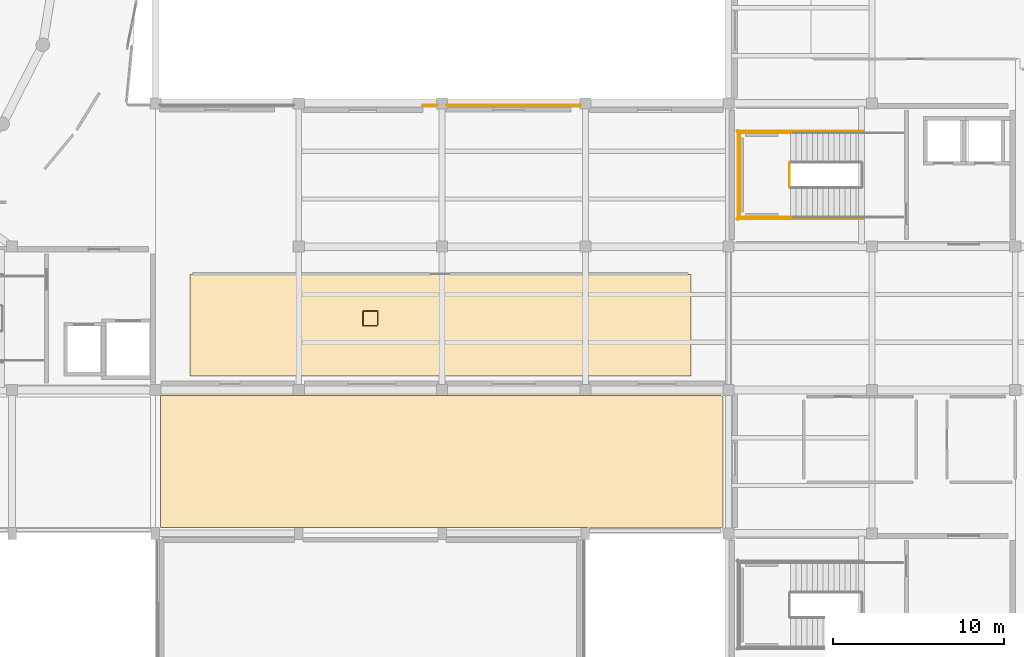
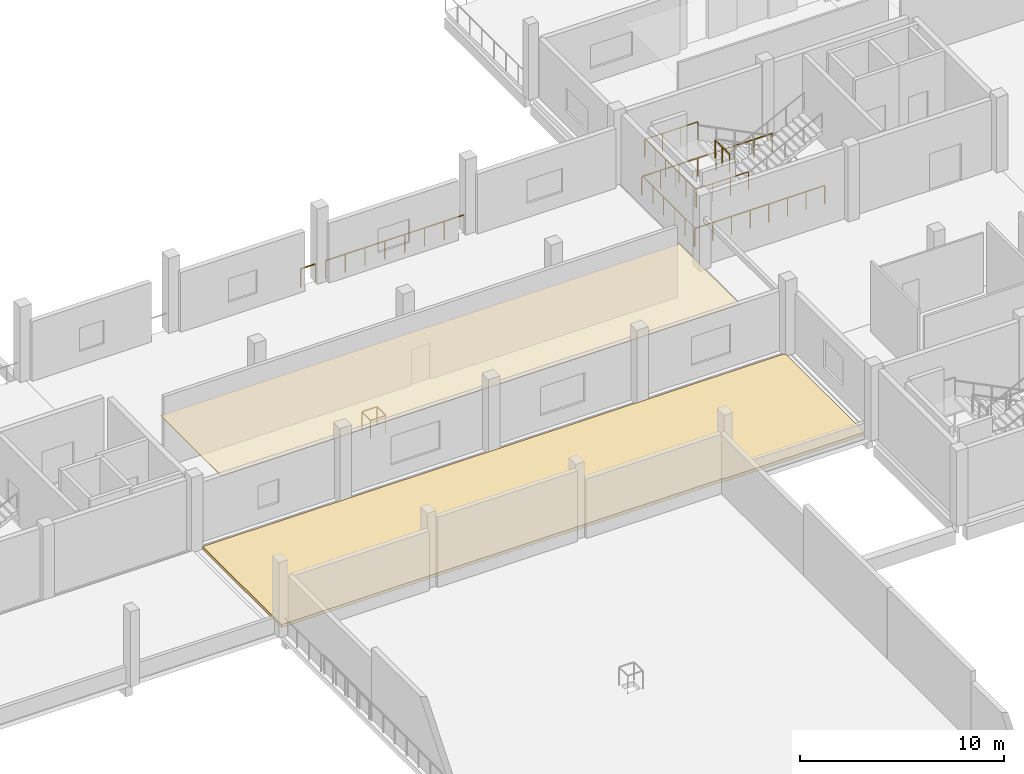
# One storey, part 40 of 46: 10 railings, 2 coverings.
"""IFC4 building model written with IfcOpenShell, lengths in metres."""

from ifc_helpers import new_model, si_unit, derived_unit, direction, frame, origin, origin_2d, place, context, subcontext, project, spatial, polyline, circle, outline, extrude, material, layer, layer_set, type_object, element, save


model = new_model("IFC4")

# Units and contexts
model_context = context("Model", 3, precision=1e-05, world=origin(), true_north=direction((0.0, 1.0)))
body_context = subcontext(model_context, "Body", "Model", "MODEL_VIEW")
ifc_project = project(units=[si_unit("LENGTHUNIT", "METRE"), si_unit("AREAUNIT", "SQUARE_METRE"), si_unit("VOLUMEUNIT", "CUBIC_METRE"), si_unit("PLANEANGLEUNIT", "RADIAN"), si_unit("MASSUNIT", "GRAM", prefix="KILO"), derived_unit("THERMALTRANSMITTANCEUNIT", [(si_unit("POWERUNIT", "WATT"), 1), (si_unit("LENGTHUNIT", "METRE"), -2), (si_unit("THERMODYNAMICTEMPERATUREUNIT", "KELVIN"), -1)])], contexts=[model_context])

# Site, building, storey
site_placement = place(None, origin())
site = spatial("IfcSite", under=ifc_project, at=site_placement, CompositionType="ELEMENT")
building_placement = place(site_placement, origin())
building = spatial("IfcBuilding", under=site, at=building_placement, Name="Elbkamm Science Centre", CompositionType="ELEMENT")
storey_placement = place(building_placement, frame((0.0, 0.0, 9.89990234375)))
storey = spatial("IfcBuildingStorey", under=building, at=storey_placement, Name="L02", CompositionType="ELEMENT", Elevation=9.89990234375)

# Coverings
ifc_material_1 = material(Name="Perforated acoustic mineral fibre ceiling tile")
ifc_layer_1 = layer(ifc_material_1, 0.0400390625)
ifc_layer_set_1 = layer_set([ifc_layer_1], Name="Perforated acoustic mineral fibre ceiling tile")
covering_type_1 = type_object("IfcCoveringType", Name="COV-CEIL-ACOUSTIC-40", PredefinedType="CEILING", material=ifc_layer_set_1)
covering_1_placement = place(storey_placement, frame((0.0, 0.0, 3.070068359375)))
element("IfcCovering", 1, at=covering_1_placement, inside=storey, type_object=covering_type_1, Name="L02 Optics and Photonics Laboratory Acoustic Ceiling", PredefinedType="CEILING", context=body_context, shape_type="SweptSolid", body=[
    extrude(outline(polyline([(94.419921875, 42.820068359375), (94.419921875, 48.780029296875), (123.780029296875, 48.780029296875), (123.780029296875, 42.820068359375), (94.419921875, 42.820068359375)])), origin(), (0.0, 0.0, 1.0), 0.0400390625),
])
ifc_material_2 = material(Name="EPDM waterproof roofing membrane and mineral wool insulation")
ifc_layer_2 = layer(ifc_material_2, 0.179931640625)
ifc_layer_set_2 = layer_set([ifc_layer_2], Name="EPDM waterproof roofing membrane and mineral wool insulation")
covering_type_2 = type_object("IfcCoveringType", Name="COV-ROOFING-180", PredefinedType="ROOFING", material=ifc_layer_set_2)
covering_2_placement = place(storey_placement, origin())
element("IfcCovering", 2, at=covering_2_placement, inside=storey, type_object=covering_type_2, Name="L02 Insulated Roof Membrane Covering 09", PredefinedType="ROOFING", context=body_context, shape_type="SweptSolid", body=[
    extrude(outline(polyline([(92.699951171875, 41.669921875), (125.512451171875, 41.669921875), (125.534912109375, 41.6689453125), (125.54931640625, 41.666748046875), (125.56298828125, 41.663330078125), (125.577392578125, 41.658203125), (125.5908203125, 41.65185546875), (125.603271484375, 41.644287109375), (125.614990234375, 41.6357421875), (125.625732421875, 41.625732421875), (125.6357421875, 41.614990234375), (125.644287109375, 41.603271484375), (125.65185546875, 41.5908203125), (125.658203125, 41.577392578125), (125.663330078125, 41.56298828125), (125.666748046875, 41.54931640625), (125.6689453125, 41.534912109375), (125.669921875, 41.512451171875), (125.669921875, 34.0576171875), (125.6689453125, 34.03515625), (125.666748046875, 34.020751953125), (125.663330078125, 34.0068359375), (125.658203125, 33.99267578125), (125.65185546875, 33.979248046875), (125.644287109375, 33.966796875), (125.6357421875, 33.955078125), (125.625732421875, 33.944091796875), (125.614990234375, 33.93408203125), (125.603271484375, 33.925537109375), (125.5908203125, 33.918212890625), (125.577392578125, 33.911865234375), (125.56298828125, 33.90673828125), (125.54931640625, 33.9033203125), (125.534912109375, 33.901123046875), (125.512451171875, 33.89990234375), (117.82470703125, 33.89990234375), (117.8037109375, 33.90087890625), (117.790283203125, 33.90283203125), (117.77734375, 33.90576171875), (117.764404296875, 33.91015625), (117.75927734375, 33.912353515625), (117.751708984375, 33.915283203125), (117.75, 33.916259765625), (117.74609375, 33.918212890625), (117.7177734375, 33.929443359375), (117.713134765625, 33.93115234375), (117.688720703125, 33.9384765625), (117.68408203125, 33.939697265625), (117.658203125, 33.945068359375), (117.6533203125, 33.94580078125), (117.6171875, 33.94970703125), (117.6123046875, 33.94970703125), (117.60009765625, 33.949951171875), (92.699951171875, 33.949951171875), (92.699951171875, 41.669921875)])), origin(), (0.0, 0.0, 1.0), 0.18017578125),
])

# Railings
ifc_material_3 = material(Name="Stainless steel EN 1.4401", Category="steel")
railing_type_1 = type_object("IfcRailingType", Name="RAIL-EXT-GUARD-1100", PredefinedType="GUARDRAIL", material=ifc_material_3)
railing_1_placement = place(storey_placement, frame((108.071533203125, 58.699951171875, 0.0)))
element("IfcRailing", 3, at=railing_1_placement, inside=storey, type_object=railing_type_1, Name="L02 Slab Edge Perimeter Guard 059", PredefinedType="GUARDRAIL", context=body_context, shape_type="SweptSolid", body=[
    extrude(circle(Radius=0.02392578125, at=origin_2d()), frame((0.0, 0.0, 1.078125), z_axis=(1.0, 0.0, 0.0), x_axis=(0.0, 1.0, 0.0)), (0.0, 0.0, 1.0), 0.848388671875),
    extrude(circle(Radius=0.02001953125, at=origin_2d()), origin(), (0.0, 0.0, 1.0), 1.048095703125),
    extrude(circle(Radius=0.02001953125, at=origin_2d()), frame((0.848388671875, 0.0, 0.0)), (0.0, 0.0, 1.0), 1.048095703125),
])
railing_2_placement = place(storey_placement, frame((109.47998046875, 58.699951171875, 0.0)))
element("IfcRailing", 4, at=railing_2_placement, inside=storey, type_object=railing_type_1, Name="L02 Slab Edge Perimeter Guard 060", PredefinedType="GUARDRAIL", context=body_context, shape_type="SweptSolid", body=[
    extrude(circle(Radius=0.02392578125, at=origin_2d()), frame((0.0, 0.0, 1.078125), z_axis=(1.0, 0.0, 0.0), x_axis=(0.0, 1.0, 0.0)), (0.0, 0.0, 1.0), 7.840087890625),
    extrude(circle(Radius=0.02001953125, at=origin_2d()), origin(), (0.0, 0.0, 1.0), 1.048095703125),
    extrude(circle(Radius=0.02001953125, at=origin_2d()), frame((1.1201171875, 0.0, 0.0)), (0.0, 0.0, 1.0), 1.048095703125),
    extrude(circle(Radius=0.02001953125, at=origin_2d()), frame((2.239990234375, 0.0, 0.0)), (0.0, 0.0, 1.0), 1.048095703125),
    extrude(circle(Radius=0.02001953125, at=origin_2d()), frame((3.360107421875, 0.0, 0.0)), (0.0, 0.0, 1.0), 1.048095703125),
    extrude(circle(Radius=0.02001953125, at=origin_2d()), frame((4.47998046875, 0.0, 0.0)), (0.0, 0.0, 1.0), 1.048095703125),
    extrude(circle(Radius=0.02001953125, at=origin_2d()), frame((5.60009765625, 0.0, 0.0)), (0.0, 0.0, 1.0), 1.048095703125),
    extrude(circle(Radius=0.02001953125, at=origin_2d()), frame((6.719970703125, 0.0, 0.0)), (0.0, 0.0, 1.0), 1.048095703125),
    extrude(circle(Radius=0.02001953125, at=origin_2d()), frame((7.840087890625, 0.0, 0.0)), (0.0, 0.0, 1.0), 1.048095703125),
])
railing_type_2 = type_object("IfcRailingType", Name="RAIL-GUARD-1100", PredefinedType="GUARDRAIL", material=ifc_material_3)
railing_3_placement = place(storey_placement, frame((129.570068359375, 55.300048828125, 2.25)))
element("IfcRailing", 5, at=railing_3_placement, inside=storey, type_object=railing_type_2, Name="L02 ST-C3 stair guard 2", PredefinedType="GUARDRAIL", context=body_context, shape_type="SweptSolid", body=[
    extrude(circle(Radius=0.02392578125, at=origin_2d()), frame((0.0, 0.0, 1.078125), z_axis=(0.0, -1.0, 0.0), x_axis=(1.0, 0.0, 0.0)), (0.0, 0.0, 1.0), 1.400146484375),
    extrude(circle(Radius=0.02001953125, at=origin_2d()), origin(), (0.0, 0.0, 1.0), 1.048095703125),
    extrude(circle(Radius=0.02001953125, at=origin_2d()), frame((0.0, -0.7001953125, 0.0)), (0.0, 0.0, 1.0), 1.048095703125),
    extrude(circle(Radius=0.02001953125, at=origin_2d()), frame((0.0, -1.400146484375, 0.0)), (0.0, 0.0, 1.0), 1.048095703125),
])
for number, where, name in (
    (6, (129.6201171875, 57.070068359375, 2.25), "L02 ST-C3 stair guard 3"),
    (7, (129.6201171875, 52.1298828125, 2.25), "L02 ST-C3 stair guard 4"),
):
    element("IfcRailing", number, at=place(storey_placement, frame(where)), inside=storey, type_object=railing_type_2, Name=name, PredefinedType="GUARDRAIL", context=body_context, shape_type="SweptSolid", body=[
        extrude(circle(Radius=0.02392578125, at=origin_2d()), frame((0.0, 0.0, 1.078125), z_axis=(-1.0, 0.0, 0.0), x_axis=(0.0, -1.0, 0.0)), (0.0, 0.0, 1.0), 3.02001953125),
        extrude(circle(Radius=0.02001953125, at=origin_2d()), origin(), (0.0, 0.0, 1.0), 1.048095703125),
        extrude(circle(Radius=0.02001953125, at=origin_2d()), frame((-1.006591796875, 0.0, 0.0)), (0.0, 0.0, 1.0), 1.048095703125),
        extrude(circle(Radius=0.02001953125, at=origin_2d()), frame((-2.013427734375, 0.0, 0.0)), (0.0, 0.0, 1.0), 1.048095703125),
        extrude(circle(Radius=0.02001953125, at=origin_2d()), frame((-3.02001953125, 0.0, 0.0)), (0.0, 0.0, 1.0), 1.048095703125),
    ])
railing_4_placement = place(storey_placement, frame((126.64990234375, 57.1201171875, 2.25)))
element("IfcRailing", 8, at=railing_4_placement, inside=storey, type_object=railing_type_2, Name="L02 ST-C3 stair guard 5", PredefinedType="GUARDRAIL", context=body_context, shape_type="SweptSolid", body=[
    extrude(circle(Radius=0.02392578125, at=origin_2d()), frame((0.0, 0.0, 1.078125), z_axis=(0.0, -1.0, 0.0), x_axis=(1.0, 0.0, 0.0)), (0.0, 0.0, 1.0), 5.0400390625),
    extrude(circle(Radius=0.02001953125, at=origin_2d()), origin(), (0.0, 0.0, 1.0), 1.048095703125),
    extrude(circle(Radius=0.02001953125, at=origin_2d()), frame((0.0, -1.008056640625, 0.0)), (0.0, 0.0, 1.0), 1.048095703125),
    extrude(circle(Radius=0.02001953125, at=origin_2d()), frame((0.0, -2.01611328125, 0.0)), (0.0, 0.0, 1.0), 1.048095703125),
    extrude(circle(Radius=0.02001953125, at=origin_2d()), frame((0.0, -3.02392578125, 0.0)), (0.0, 0.0, 1.0), 1.048095703125),
    extrude(circle(Radius=0.02001953125, at=origin_2d()), frame((0.0, -4.031982421875, 0.0)), (0.0, 0.0, 1.0), 1.048095703125),
    extrude(circle(Radius=0.02001953125, at=origin_2d()), frame((0.0, -5.0400390625, 0.0)), (0.0, 0.0, 1.0), 1.048095703125),
])
for number, where, name in (
    (9, (133.8798828125, 57.169921875, 0.0), "L02 ST-C3 stair guard 10"),
    (10, (133.8798828125, 52.030029296875, 0.0), "L02 ST-C3 stair guard 11"),
):
    element("IfcRailing", number, at=place(storey_placement, frame(where)), inside=storey, type_object=railing_type_2, Name=name, PredefinedType="GUARDRAIL", context=body_context, shape_type="SweptSolid", body=[
        extrude(circle(Radius=0.02392578125, at=origin_2d()), frame((0.0, 0.0, 1.078125), z_axis=(-1.0, 0.0, 0.0), x_axis=(0.0, -1.0, 0.0)), (0.0, 0.0, 1.0), 7.3798828125),
        extrude(circle(Radius=0.02001953125, at=origin_2d()), origin(), (0.0, 0.0, 1.0), 1.048095703125),
        extrude(circle(Radius=0.02001953125, at=origin_2d()), frame((-1.05419921875, 0.0, 0.0)), (0.0, 0.0, 1.0), 1.048095703125),
        extrude(circle(Radius=0.02001953125, at=origin_2d()), frame((-2.108642578125, 0.0, 0.0)), (0.0, 0.0, 1.0), 1.048095703125),
        extrude(circle(Radius=0.02001953125, at=origin_2d()), frame((-3.162841796875, 0.0, 0.0)), (0.0, 0.0, 1.0), 1.048095703125),
        extrude(circle(Radius=0.02001953125, at=origin_2d()), frame((-4.217041015625, 0.0, 0.0)), (0.0, 0.0, 1.0), 1.048095703125),
        extrude(circle(Radius=0.02001953125, at=origin_2d()), frame((-5.271240234375, 0.0, 0.0)), (0.0, 0.0, 1.0), 1.048095703125),
        extrude(circle(Radius=0.02001953125, at=origin_2d()), frame((-6.32568359375, 0.0, 0.0)), (0.0, 0.0, 1.0), 1.048095703125),
        extrude(circle(Radius=0.02001953125, at=origin_2d()), frame((-7.3798828125, 0.0, 0.0)), (0.0, 0.0, 1.0), 1.048095703125),
    ])
railing_5_placement = place(storey_placement, frame((126.550048828125, 57.219970703125, 0.0)))
element("IfcRailing", 11, at=railing_5_placement, inside=storey, type_object=railing_type_2, Name="L02 ST-C3 stair guard 12", PredefinedType="GUARDRAIL", context=body_context, shape_type="SweptSolid", body=[
    extrude(circle(Radius=0.02392578125, at=origin_2d()), frame((0.0, 0.0, 1.078125), z_axis=(0.0, -1.0, 0.0), x_axis=(1.0, 0.0, 0.0)), (0.0, 0.0, 1.0), 5.239990234375),
    extrude(circle(Radius=0.02001953125, at=origin_2d()), origin(), (0.0, 0.0, 1.0), 1.048095703125),
    extrude(circle(Radius=0.02001953125, at=origin_2d()), frame((0.0, -1.048095703125, 0.0)), (0.0, 0.0, 1.0), 1.048095703125),
    extrude(circle(Radius=0.02001953125, at=origin_2d()), frame((0.0, -2.095947265625, 0.0)), (0.0, 0.0, 1.0), 1.048095703125),
    extrude(circle(Radius=0.02001953125, at=origin_2d()), frame((0.0, -3.14404296875, 0.0)), (0.0, 0.0, 1.0), 1.048095703125),
    extrude(circle(Radius=0.02001953125, at=origin_2d()), frame((0.0, -4.19189453125, 0.0)), (0.0, 0.0, 1.0), 1.048095703125),
    extrude(circle(Radius=0.02001953125, at=origin_2d()), frame((0.0, -5.239990234375, 0.0)), (0.0, 0.0, 1.0), 1.048095703125),
])
railing_6_placement = place(storey_placement, frame((104.570068359375, 45.77001953125, 0.0)))
element("IfcRailing", 12, at=railing_6_placement, inside=storey, type_object=railing_type_2, Name="L02 Service Riser Opening Guardrail 017", PredefinedType="GUARDRAIL", context=body_context, shape_type="SweptSolid", body=[
    extrude(circle(Radius=0.02392578125, at=origin_2d()), frame((0.0, 0.0, 1.078125), z_axis=(1.0, 0.0, 0.0), x_axis=(0.0, 1.0, 0.0)), (0.0, 0.0, 1.0), 0.829833984375),
    extrude(circle(Radius=0.02392578125, at=origin_2d()), frame((0.85986328125, 0.030029296875, 1.078125), z_axis=(0.0, 1.0, 0.0), x_axis=(-1.0, 0.0, 0.0)), (0.0, 0.0, 1.0), 0.7998046875),
    extrude(circle(Radius=0.02392578125, at=origin_2d()), frame((0.829833984375, 0.85986328125, 1.078125), z_axis=(-1.0, 0.0, 0.0), x_axis=(0.0, -1.0, 0.0)), (0.0, 0.0, 1.0), 0.7998046875),
    extrude(circle(Radius=0.02392578125, at=origin_2d()), frame((0.0, 0.829833984375, 1.078125), z_axis=(0.0, -1.0, 0.0), x_axis=(1.0, 0.0, 0.0)), (0.0, 0.0, 1.0), 0.829833984375),
    extrude(circle(Radius=0.02001953125, at=origin_2d()), origin(), (0.0, 0.0, 1.0), 1.048095703125),
    extrude(circle(Radius=0.02001953125, at=origin_2d()), frame((0.85986328125, 0.0, 0.0)), (0.0, 0.0, 1.0), 1.048095703125),
    extrude(circle(Radius=0.02001953125, at=origin_2d()), frame((0.85986328125, 0.85986328125, 0.0)), (0.0, 0.0, 1.0), 1.048095703125),
    extrude(circle(Radius=0.02001953125, at=origin_2d()), frame((0.0, 0.85986328125, 0.0)), (0.0, 0.0, 1.0), 1.048095703125),
])

save(model, "model.ifc")
